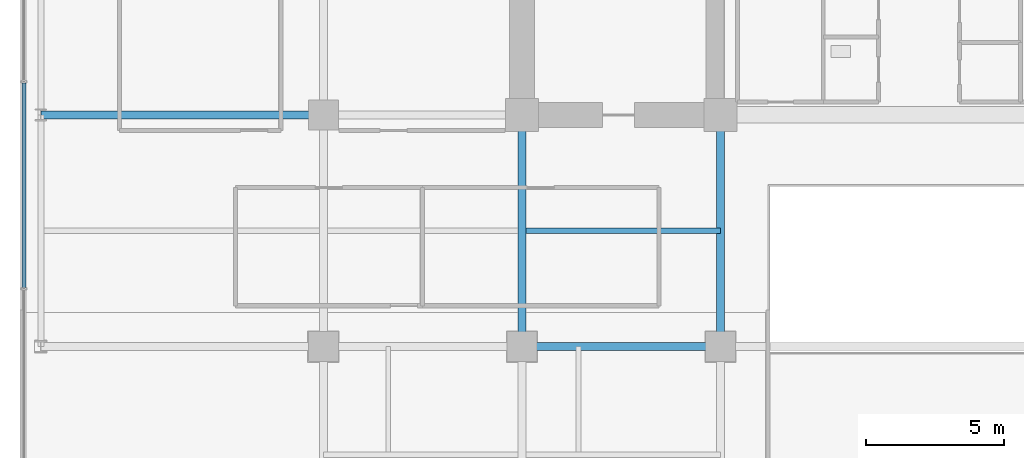
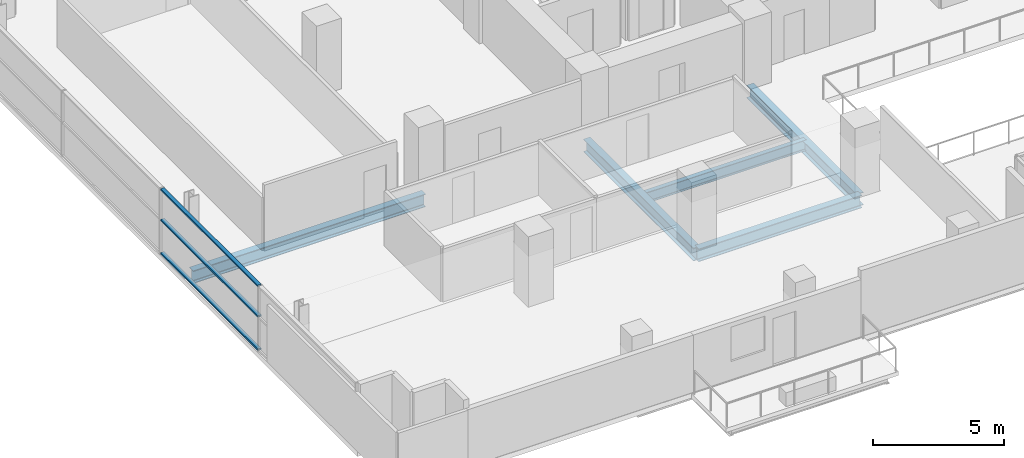
# One storey, part 7 of 30: 5 beams, 3 members, 1 element without a shape of its own.
"""IFC4 building model written with IfcOpenShell, lengths in metres."""

from ifc_helpers import new_model, si_unit, direction, frame, origin, origin_2d, place, context, subcontext, project, spatial, hollow_rectangle, i_section, extrude, source, transform, mapped, material, layer, layer_set, material_profile, profile_set, type_object, element, aggregate, save


model = new_model("IFC4")

# Units and contexts
model_context = context("Model", 3, precision=1e-05, world=origin(), true_north=direction((0.0, 1.0)))
body_context = subcontext(model_context, "Body", "Model", "MODEL_VIEW")
ifc_project = project(units=[si_unit("LENGTHUNIT", "METRE"), si_unit("AREAUNIT", "SQUARE_METRE"), si_unit("VOLUMEUNIT", "CUBIC_METRE"), si_unit("PLANEANGLEUNIT", "RADIAN"), si_unit("MASSUNIT", "GRAM", prefix="KILO")], contexts=[model_context])

# Site, building, storey
site_placement = place(None, origin())
site = spatial("IfcSite", under=ifc_project, at=site_placement, CompositionType="ELEMENT")
building_placement = place(site_placement, origin())
building = spatial("IfcBuilding", under=site, at=building_placement, Name="Zarnakvel Exchange Tower", CompositionType="ELEMENT")
storey_placement = place(building_placement, frame((0.0, 0.0, 43.89990234375)))
storey = spatial("IfcBuildingStorey", under=building, at=storey_placement, Name="L11", CompositionType="ELEMENT", Elevation=43.89990234375)

# Beams
ifc_material_1 = material(Name="Steel S355", Category="steel")
ifc_material_profile_1 = material_profile(ifc_material_1, i_section(OverallWidth=0.199951171875, OverallDepth=0.5, WebThickness=0.01025390625, FlangeThickness=0.01611328125, FilletRadius=0.02099609375, at=origin_2d()))
ifc_profile_set_1 = profile_set([ifc_material_profile_1], Name="Steel S355")
beam_type_1 = type_object("IfcBeamType", Name="B-04", PredefinedType="JOIST", material=ifc_profile_set_1)
beam_1_placement = place(storey_placement, frame((-14.25, -5.39990234375, -0.474853515625), z_axis=(1.0, 0.0, 0.0), x_axis=(0.0, 1.0, 0.0)))
element("IfcBeam", 1, at=beam_1_placement, inside=storey, type_object=beam_type_1, Name="L11 Composite Floor Secondary Joist", PredefinedType="JOIST", context=body_context, shape_type="SweptSolid", body=[
    extrude(i_section(OverallWidth=0.199951171875, OverallDepth=0.5, WebThickness=0.01025390625, FlangeThickness=0.01611328125, FilletRadius=0.02099609375, at=origin_2d()), origin(), (0.0, 0.0, 1.0), 7.050048828125),
])
ifc_material_profile_2 = material_profile(ifc_material_1, i_section(OverallWidth=0.300048828125, OverallDepth=0.60009765625, WebThickness=0.015380859375, FlangeThickness=0.030029296875, FilletRadius=0.027099609375, at=origin_2d()))
ifc_profile_set_2 = profile_set([ifc_material_profile_2], Name="Steel S355")
beam_type_2 = type_object("IfcBeamType", Name="G-04", PredefinedType="BEAM", material=ifc_profile_set_2)
beam_2_placement = place(storey_placement, frame((-14.39990234375, -9.60009765625, -0.52490234375), z_axis=(1.0, 0.0, 0.0), x_axis=(0.0, 1.0, 0.0)))
element("IfcBeam", 2, at=beam_2_placement, inside=storey, type_object=beam_type_2, Name="L11 Tower E-W Frame Beam", PredefinedType="BEAM", context=body_context, shape_type="SweptSolid", body=[
    extrude(i_section(OverallWidth=0.300048828125, OverallDepth=0.60009765625, WebThickness=0.015380859375, FlangeThickness=0.030029296875, FilletRadius=0.027099609375, at=origin_2d()), origin(), (0.0, 0.0, 1.0), 7.199951171875),
])
beam_3_placement = place(storey_placement, frame((-31.85009765625, -1.199951171875, -0.52490234375), z_axis=(1.0, 0.0, 0.0), x_axis=(0.0, 1.0, 0.0)))
element("IfcBeam", 3, at=beam_3_placement, inside=storey, type_object=beam_type_2, Name="L11 Tower E-W Frame Beam", PredefinedType="BEAM", context=body_context, shape_type="SweptSolid", body=[
    extrude(i_section(OverallWidth=0.300048828125, OverallDepth=0.60009765625, WebThickness=0.015380859375, FlangeThickness=0.030029296875, FilletRadius=0.027099609375, at=origin_2d()), origin(), (0.0, 0.0, 1.0), 10.25),
])
for number, where, z_axis, x_axis, name in (
    (4, (-14.39990234375, -9.60009765625, -0.52490234375), (0.0, 1.0, 0.0), (-1.0, 0.0, 0.0), "L11 Tower N-S Frame Beam"),
    (5, (-7.199951171875, -9.60009765625, -0.52490234375), (0.0, 1.0, 0.0), (-1.0, 0.0, 0.0), "L11 Tower N-S Frame Beam"),
):
    element("IfcBeam", number, at=place(storey_placement, frame(where, z_axis=z_axis, x_axis=x_axis)), inside=storey, type_object=beam_type_2, Name=name, PredefinedType="BEAM", context=body_context, shape_type="SweptSolid", body=[
        extrude(i_section(OverallWidth=0.300048828125, OverallDepth=0.60009765625, WebThickness=0.015380859375, FlangeThickness=0.030029296875, FilletRadius=0.027099609375, at=origin_2d()), origin(), (0.0, 0.0, 1.0), 8.400146484375),
    ])

# Curtain wall, members
ifc_material_2 = material(Name="Architectural Bronze Anodised Aluminium", Category="aluminium")
ifc_layer = layer(ifc_material_2, 0.199951171875)
ifc_layer_set = layer_set([ifc_layer], Name="Architectural Bronze Anodised Aluminium")
curtain_wall_type = type_object("IfcCurtainWallType", Name="CW-04", PredefinedType="NOTDEFINED", material=ifc_layer_set)
curtain_wall_placement = place(storey_placement, origin())
curtain_wall = element("IfcCurtainWall", 6, at=curtain_wall_placement, inside=storey, type_object=curtain_wall_type, Name="L11 Curtain Wall CW-L11-W1 (CW-04)", PredefinedType="NOTDEFINED")
ifc_material_profile_3 = material_profile(ifc_material_2, hollow_rectangle(XDim=0.159912109375, YDim=0.074951171875, WallThickness=0.00390625, at=origin_2d()))
ifc_profile_set_3 = profile_set([ifc_material_profile_3], Name="Architectural Bronze Anodised Aluminium")
member_type = type_object("IfcMemberType", Name="CWT-04", PredefinedType="USERDEFINED", material=ifc_profile_set_3)
shared_shape = source(origin(), body_context, "Body", "SweptSolid", [
    extrude(hollow_rectangle(XDim=0.159912109375, YDim=0.074951171875, WallThickness=0.00390625, at=origin_2d()), origin(), (0.0, 0.0, 1.0), 7.4248046875),
])
member_1_placement = place(storey_placement, frame((-32.4599609375, -7.46240234375, 0.03759765625), z_axis=(0.0, 1.0, 0.0), x_axis=(-1.0, 0.0, 0.0)))
member_1 = element("IfcMember", 7, at=member_1_placement, type_object=member_type, Name="CW-04 transom 2.1", ObjectType="TRANSOM", PredefinedType="USERDEFINED", context=body_context, shape_type="MappedRepresentation", body=[
    mapped(shared_shape, transform((0.0, 0.0, 0.0), x_axis=(1.0, 0.0, 0.0), y_axis=(0.0, 1.0, 0.0), z_axis=(0.0, 0.0, 1.0), scale=1.0)),
])
member_2_placement = place(storey_placement, frame((-32.4599609375, -7.46240234375, 1.588623046875), z_axis=(0.0, 1.0, 0.0), x_axis=(-1.0, 0.0, 0.0)))
member_2 = element("IfcMember", 8, at=member_2_placement, type_object=member_type, Name="CW-04 transom 2.2", ObjectType="TRANSOM", PredefinedType="USERDEFINED", context=body_context, shape_type="MappedRepresentation", body=[
    mapped(shared_shape, transform((0.0, 0.0, 0.0), x_axis=(1.0, 0.0, 0.0), y_axis=(0.0, 1.0, 0.0), z_axis=(0.0, 0.0, 1.0), scale=1.0)),
])
member_3_placement = place(storey_placement, frame((-32.4599609375, -7.46240234375, 3.017578125), z_axis=(0.0, 1.0, 0.0), x_axis=(-1.0, 0.0, 0.0)))
member_3 = element("IfcMember", 9, at=member_3_placement, type_object=member_type, Name="CW-04 transom 2.3", ObjectType="TRANSOM", PredefinedType="USERDEFINED", context=body_context, shape_type="MappedRepresentation", body=[
    mapped(shared_shape, transform((0.0, 0.0, 0.0), x_axis=(1.0, 0.0, 0.0), y_axis=(0.0, 1.0, 0.0), z_axis=(0.0, 0.0, 1.0), scale=1.0)),
])
aggregate(curtain_wall, [member_1, member_2, member_3])

save(model, "model.ifc")
